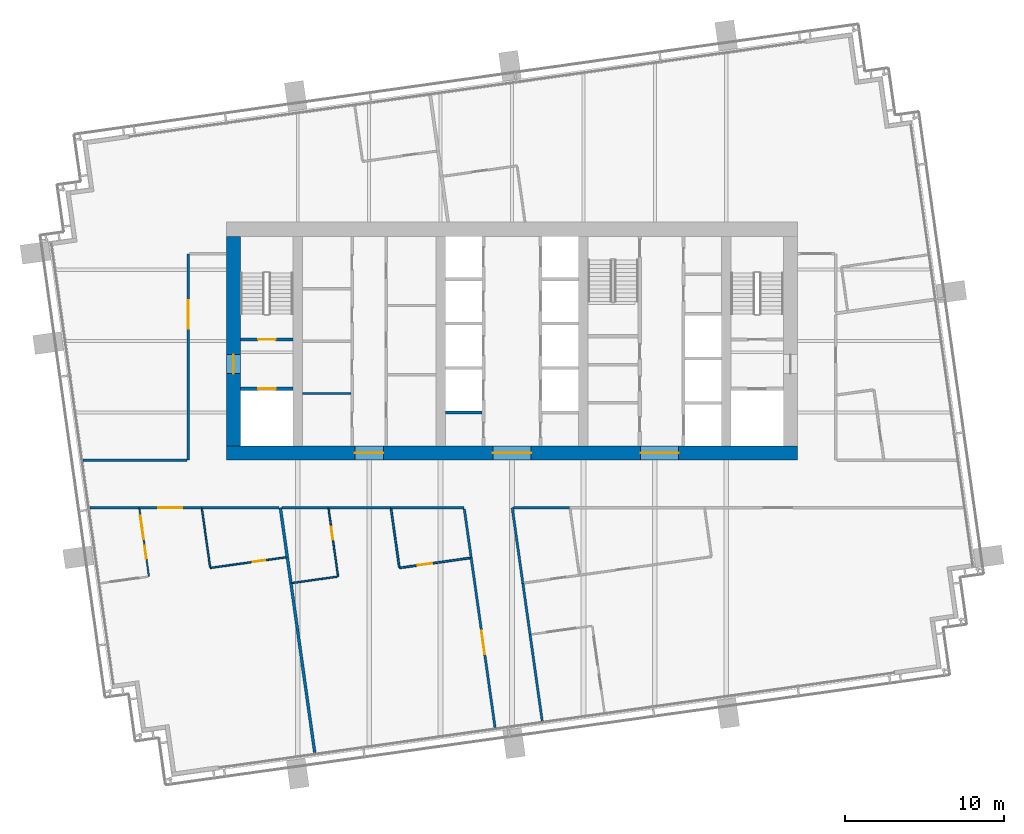
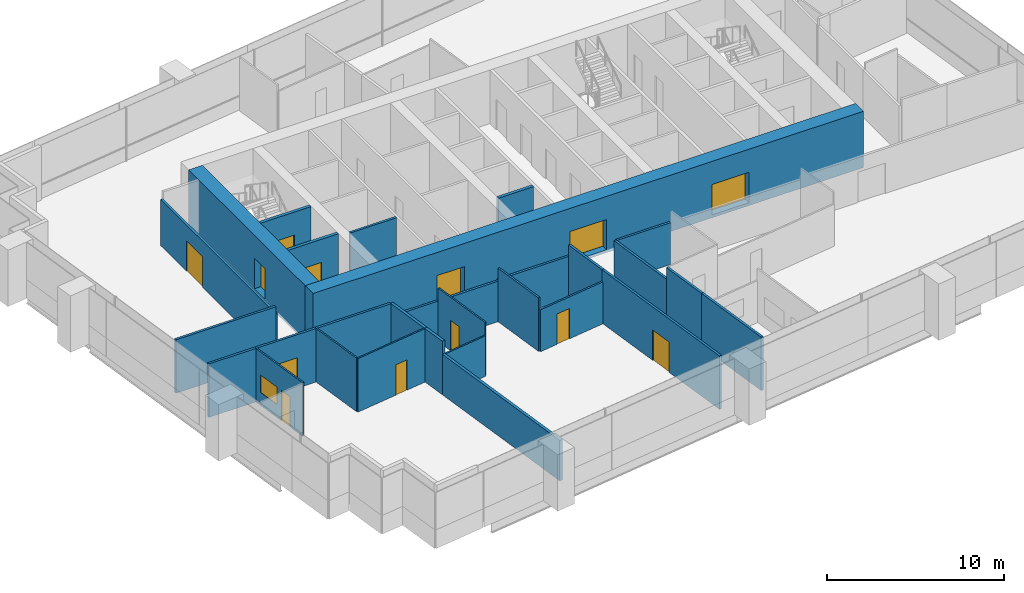
# One storey, part 9 of 18: 30 walls, 13 doors, 1 window, 14 openings.
"""IFC4 building model written with IfcOpenShell, lengths in metres."""

import ifcopenshell
import ifcopenshell.guid

model = None  # the IFC model being written
_history = None  # IfcOwnerHistory: only IFC2X3 demands one
_inside = {}  # id of a spatial element -> (the spatial element, [elements in it])
_under = {}  # id of a project, library or spatial element -> (it, [spatial elements below it])
_declared = {}  # id of a project -> (the project, [libraries it declares])
_typed = {}  # id of a type object -> (the type object, [elements of that type])
_made_of = {}  # id of a material, layer set ... -> (it, [elements and type objects made of it])


def new_model(schema):
    """Start an empty IFC model of exactly this schema.

    Asked for "IFC4X3", IfcOpenShell would pick the latest addendum, in which some entities
    have other attributes; the version numbers below select the first issue.
    IFC2X3 requires an IfcOwnerHistory on every rooted entity: one is made here for all.
    """
    global model, _history
    if schema == "IFC4X3":
        model = ifcopenshell.file(schema_version=(4, 3, 0, 0))
    else:
        model = ifcopenshell.file(schema=schema)
    _inside.clear()
    _under.clear()
    _declared.clear()
    _typed.clear()
    _made_of.clear()
    _history = None
    if model.schema == "IFC2X3":
        org = make("IfcOrganization", Name="unknown")
        user = make(
            "IfcPersonAndOrganization",
            ThePerson=make("IfcPerson", FamilyName="unknown"),
            TheOrganization=org,
        )
        app = make(
            "IfcApplication",
            ApplicationDeveloper=org,
            Version="unknown",
            ApplicationFullName="unknown",
            ApplicationIdentifier="unknown",
        )
        _history = make(
            "IfcOwnerHistory",
            OwningUser=user,
            OwningApplication=app,
            ChangeAction="ADDED",
            CreationDate=0,
        )
    return model


def make(cls, **values):
    """One entity of the class cls with the attributes given. An attribute that is None is left unset."""
    return model.create_entity(
        cls, **{name: value for name, value in values.items() if value is not None}
    )


def rooted(cls, **values):
    """An entity with a GlobalId (a new one), such as an element, a storey or a relation."""
    return make(cls, GlobalId=ifcopenshell.guid.new(), OwnerHistory=_history, **values)


def si_unit(unit_type, name, prefix=None):
    """IfcSIUnit, for example si_unit("LENGTHUNIT", "METRE", prefix="MILLI")."""
    return make("IfcSIUnit", UnitType=unit_type, Prefix=prefix, Name=name)


def assignment(units):
    """IfcUnitAssignment: the units of a project."""
    return None if units is None else make("IfcUnitAssignment", Units=units)


def point(xyz):
    """IfcCartesianPoint."""
    return None if xyz is None else make("IfcCartesianPoint", Coordinates=xyz)


def direction(xyz):
    """IfcDirection."""
    return None if xyz is None else make("IfcDirection", DirectionRatios=xyz)


def frame(location, z_axis=None, x_axis=None):
    """IfcAxis2Placement3D, a coordinate frame: its origin and axes. An axis left out is left unset."""
    return make(
        "IfcAxis2Placement3D",
        Location=point(location),
        Axis=direction(z_axis),
        RefDirection=direction(x_axis),
    )


def frame_2d(location, x_axis=None):
    """IfcAxis2Placement2D, a coordinate frame in the plane: its origin and x axis."""
    return make(
        "IfcAxis2Placement2D", Location=point(location), RefDirection=direction(x_axis)
    )


def origin():
    """The frame at (0, 0, 0) with its axes left unset."""
    return frame((0.0, 0.0, 0.0))


def place(relative_to, where):
    """IfcLocalPlacement: puts the frame where relative to a parent placement (None: the world)."""
    return make(
        "IfcLocalPlacement", PlacementRelTo=relative_to, RelativePlacement=where
    )


def context(
    kind, dimensions, precision=None, world=None, true_north=None, identifier=None
):
    """IfcGeometricRepresentationContext, for example the 3D "Model" context."""
    return make(
        "IfcGeometricRepresentationContext",
        ContextIdentifier=identifier,
        ContextType=kind,
        CoordinateSpaceDimension=dimensions,
        Precision=precision,
        WorldCoordinateSystem=world,
        TrueNorth=true_north,
    )


def subcontext(parent, identifier, kind, view, scale=None):
    """IfcGeometricRepresentationSubContext, for example "Body" below "Model"."""
    return make(
        "IfcGeometricRepresentationSubContext",
        ContextIdentifier=identifier,
        ContextType=kind,
        ParentContext=parent,
        TargetScale=scale,
        TargetView=view,
    )


def project(units=None, contexts=None):
    """IfcProject with its units and contexts."""
    return rooted(
        "IfcProject",
        Name="project",
        RepresentationContexts=contexts,
        UnitsInContext=assignment(units),
    )


def spatial(cls, under=None, at=None, **own):
    """A site, building, storey or space (cls), placed at a placement, below another one or the project."""
    s = rooted(cls, ObjectPlacement=at, **own)
    if under is not None:
        _under.setdefault(under.id(), (under, []))[1].append(s)
    return s


def profile(cls, at=None, kind="AREA", **sizes):
    """A parametric profile (cls). Its sizes go by their IFC names, for example OverallWidth=200.0."""
    return make(cls, ProfileType=kind, Position=at, **sizes)


def rectangle(**sizes):
    """IfcRectangleProfileDef."""
    return profile("IfcRectangleProfileDef", **sizes)


def extrude(swept, where, along, depth):
    """IfcExtrudedAreaSolid: the profile swept, set in the frame where, extruded along a direction by depth."""
    return make(
        "IfcExtrudedAreaSolid",
        SweptArea=swept,
        Position=where,
        ExtrudedDirection=direction(along),
        Depth=depth,
    )


def shape(context_of_items, identifier, shape_type, items):
    """IfcShapeRepresentation: the items that make up one representation, for example the "Body"."""
    return make(
        "IfcShapeRepresentation",
        ContextOfItems=context_of_items,
        RepresentationIdentifier=identifier,
        RepresentationType=shape_type,
        Items=items,
    )


def material(Name=None, Category=None):
    """IfcMaterial."""
    return make("IfcMaterial", Name=Name, Category=Category)


def layer(
    of_material, thickness, ventilated=None, Name=None, Category=None, Priority=None
):
    """IfcMaterialLayer: one layer of a wall or slab, of a material (None: an air gap)."""
    return make(
        "IfcMaterialLayer",
        Material=of_material,
        LayerThickness=thickness,
        IsVentilated=ventilated,
        Name=Name,
        Category=Category,
        Priority=Priority,
    )


def layer_set(layers, Name=None):
    """IfcMaterialLayerSet."""
    return make("IfcMaterialLayerSet", MaterialLayers=layers, LayerSetName=Name)


def made_of(thing, what):
    """Note that an element or type object is made of a material, layer set ...; save() writes the relation."""
    if what is not None:
        _made_of.setdefault(what.id(), (what, []))[1].append(thing)
    return thing


def type_object(cls, material=None, **own):
    """A type object (cls), such as IfcWallType, which elements share."""
    return made_of(rooted(cls, **own), material)


def element(
    cls,
    number,
    at=None,
    inside=None,
    cuts=None,
    type_object=None,
    material=None,
    context=None,
    identifier="Body",
    shape_type=None,
    held_by="IfcProductDefinitionShape",
    body=None,
    shapes=None,
    **own,
):
    """One element of the class cls, such as IfcWall. Its Tag is "e" and its number.

    at: its placement. inside: the storey or other place that contains it. cuts: it is an
    opening in that element (IfcRelVoidsElement). A single representation is given by context,
    identifier, shape_type and body (its items); several are given by shapes. held_by: the class
    of the entity that holds the representations. save() writes the other relations.
    """
    e = rooted(cls, Tag="e%d" % number, ObjectPlacement=at, **own)
    if body is not None:
        shapes = [shape(context, identifier, shape_type, body)]
    if shapes is not None:
        e.Representation = make(held_by, Representations=shapes)
    if inside is not None:
        _inside.setdefault(inside.id(), (inside, []))[1].append(e)
    if cuts is not None:
        rooted(
            "IfcRelVoidsElement", RelatingBuildingElement=cuts, RelatedOpeningElement=e
        )
    if type_object is not None:
        _typed.setdefault(type_object.id(), (type_object, []))[1].append(e)
    return made_of(e, material)


def fill(opening, filler):
    """IfcRelFillsElement: the door or window that sits in an opening."""
    return rooted(
        "IfcRelFillsElement",
        RelatingOpeningElement=opening,
        RelatedBuildingElement=filler,
    )


def aggregate(whole, parts):
    """IfcRelAggregates: a whole, such as a stair, and the parts it consists of."""
    return rooted("IfcRelAggregates", RelatingObject=whole, RelatedObjects=parts)


def save(model, path):
    """Write the relations noted so far, then the file.

    IfcRelAggregates (storeys below a building ...), IfcRelContainedInSpatialStructure (elements
    in a storey), IfcRelDefinesByType, IfcRelAssociatesMaterial and IfcRelDeclares: one each for
    every whole, place, type object, material and project.
    """
    for whole, parts in _under.values():
        aggregate(whole, parts)
    for where, things in _inside.values():
        rooted(
            "IfcRelContainedInSpatialStructure",
            RelatedElements=things,
            RelatingStructure=where,
        )
    for kind, things in _typed.values():
        rooted("IfcRelDefinesByType", RelatedObjects=things, RelatingType=kind)
    for what, things in _made_of.values():
        rooted("IfcRelAssociatesMaterial", RelatedObjects=things, RelatingMaterial=what)
    for by, libraries in _declared.values():
        rooted("IfcRelDeclares", RelatingContext=by, RelatedDefinitions=libraries)
    model.write(path)


model = new_model("IFC4")

# Units and contexts
model_context = context("Model", 3, precision=1e-05, world=origin(), true_north=direction((0.0, 1.0)))
body_context = subcontext(model_context, "Body", "Model", "MODEL_VIEW")
ifc_project = project(units=[si_unit("LENGTHUNIT", "METRE"), si_unit("AREAUNIT", "SQUARE_METRE"), si_unit("VOLUMEUNIT", "CUBIC_METRE"), si_unit("PLANEANGLEUNIT", "RADIAN"), si_unit("MASSUNIT", "GRAM", prefix="KILO")], contexts=[model_context])

# Site, building, storey
site_placement = place(None, origin())
site = spatial("IfcSite", under=ifc_project, at=site_placement, CompositionType="ELEMENT")
building_placement = place(site_placement, origin())
building = spatial("IfcBuilding", under=site, at=building_placement, Name="Rattan Terrace Tower", CompositionType="ELEMENT")
storey_placement = place(building_placement, frame((0.0, 0.0, 176.300048828125)))
storey = spatial("IfcBuildingStorey", under=building, at=storey_placement, Name="L40", CompositionType="ELEMENT", Elevation=176.300048828125)

# Wall
ifc_material_1 = material(Name="Gypsum board partition")
ifc_layer_1 = layer(ifc_material_1, 0.14990234375)
ifc_layer_set_1 = layer_set([ifc_layer_1], Name="Core partition 150")
wall_type_1 = type_object("IfcWallType", Name="Core partition 150", PredefinedType="PARTITIONING", material=ifc_layer_set_1)
wall_1_placement = place(storey_placement, frame((-13.199951171875, -3.300048828125, 0.0), z_axis=(0.0, 0.0, 1.0), x_axis=(1.0, 0.0, 0.0)))
element("IfcWall", 1, at=wall_1_placement, inside=storey, type_object=wall_type_1, Name="Core room wall", PredefinedType="PARTITIONING", context=body_context, shape_type="SweptSolid", body=[
    extrude(rectangle(XDim=3.050048828125, YDim=0.14990234375, at=frame_2d((1.52490234375, 0.0))), origin(), (0.0, 0.0, 1.0), 3.699951171875),
])

# Wall, opening, door
ifc_material_2 = material(Name="Gypsum board partition")
ifc_layer_2 = layer(ifc_material_2, 0.199951171875)
ifc_layer_set_2 = layer_set([ifc_layer_2], Name="Core partition 200")
wall_type_2 = type_object("IfcWallType", Name="Core partition 200", PredefinedType="PARTITIONING", material=ifc_layer_set_2)
wall_2_placement = place(storey_placement, frame((-17.10009765625, -3.0, 0.0), z_axis=(0.0, 0.0, 1.0), x_axis=(1.0, 0.0, 0.0)))
wall_2 = element("IfcWall", 2, at=wall_2_placement, inside=storey, type_object=wall_type_2, Name="Fire-fighting lobby wall", PredefinedType="PARTITIONING", context=body_context, shape_type="SweptSolid", body=[
    extrude(rectangle(XDim=3.300048828125, YDim=0.199951171875, at=frame_2d((1.64990234375, 0.0))), origin(), (0.0, 0.0, 1.0), 3.699951171875),
])
opening_1_placement = place(wall_2_placement, frame((1.10009765625, 0.0, 0.0)))
opening_1 = element("IfcOpeningElement", 3, at=opening_1_placement, cuts=wall_2, Name="Opening L40-LD-FF1", PredefinedType="OPENING", context=body_context, shape_type="SweptSolid", body=[
    extrude(rectangle(XDim=1.10009765625, YDim=2.10009765625, at=frame_2d((0.550048828125, 1.050048828125))), frame((0.0, 0.110595703125, 0.0), z_axis=(0.0, -1.0, 0.0), x_axis=(1.0, 0.0, 0.0)), (0.0, 0.0, 1.0), 0.220947265625),
])
ifc_material_3 = material(Name="Brushed stainless landing door panel")
door_type_1 = type_object("IfcDoorType", Name="Core lift landing door 1100", OperationType="DOUBLE_DOOR_SLIDING", PredefinedType="DOOR", material=ifc_material_3)
door_1_placement = place(opening_1_placement, origin())
door_1 = element("IfcDoor", 4, at=door_1_placement, inside=storey, type_object=door_type_1, Name="Door L40-LD-FF1", OperationType="DOUBLE_DOOR_SLIDING", OverallHeight=2.10009765625, OverallWidth=1.10009765625, PredefinedType="DOOR", context=body_context, shape_type="SweptSolid", body=[
    extrude(rectangle(XDim=1.10009765625, YDim=2.10009765625, at=frame_2d((0.550048828125, 1.050048828125))), frame((0.0, 0.02490234375, 0.0), z_axis=(0.0, -1.0, 0.0), x_axis=(1.0, 0.0, 0.0)), (0.0, 0.0, 1.0), 0.050048828125),
])
fill(opening_1, door_1)

wall_3_placement = place(storey_placement, frame((-17.10009765625, 0.10009765625, 0.0), z_axis=(0.0, 0.0, 1.0), x_axis=(1.0, 0.0, 0.0)))
wall_3 = element("IfcWall", 5, at=wall_3_placement, inside=storey, type_object=wall_type_2, Name="Stair enclosure wall", PredefinedType="PARTITIONING", context=body_context, shape_type="SweptSolid", body=[
    extrude(rectangle(XDim=3.300048828125, YDim=0.199951171875, at=frame_2d((1.64990234375, 0.0))), origin(), (0.0, 0.0, 1.0), 3.699951171875),
])
opening_2_placement = place(wall_3_placement, frame((1.10009765625, 0.0, 0.0)))
opening_2 = element("IfcOpeningElement", 6, at=opening_2_placement, cuts=wall_3, Name="Opening L40-D002", PredefinedType="OPENING", context=body_context, shape_type="SweptSolid", body=[
    extrude(rectangle(XDim=1.10009765625, YDim=2.10009765625, at=frame_2d((0.550048828125, 1.050048828125))), frame((0.0, 0.110595703125, 0.0), z_axis=(0.0, -1.0, 0.0), x_axis=(1.0, 0.0, 0.0)), (0.0, 0.0, 1.0), 0.220947265625),
])
ifc_material_4 = material(Name="Hollow-metal fire door leaf")
door_type_2 = type_object("IfcDoorType", Name="Core stair door 1100", OperationType="NOTDEFINED", PredefinedType="DOOR", material=ifc_material_4)
door_2_placement = place(opening_2_placement, origin())
door_2 = element("IfcDoor", 7, at=door_2_placement, inside=storey, type_object=door_type_2, Name="Door L40-D002", OperationType="SINGLE_SWING_RIGHT", OverallHeight=2.10009765625, OverallWidth=1.10009765625, PredefinedType="DOOR", context=body_context, shape_type="SweptSolid", body=[
    extrude(rectangle(XDim=1.10009765625, YDim=2.10009765625, at=frame_2d((0.550048828125, 1.050048828125))), frame((0.0, 0.02490234375, 0.0), z_axis=(0.0, -1.0, 0.0), x_axis=(1.0, 0.0, 0.0)), (0.0, 0.0, 1.0), 0.050048828125),
])
fill(opening_2, door_2)

# Wall, openings, doors
ifc_material_5 = material(Name="Concrete C60/75", Category="concrete")
ifc_layer_3 = layer(ifc_material_5, 0.89990234375)
ifc_layer_set_3 = layer_set([ifc_layer_3], Name="Core ring wall 900 C60/75")
wall_type_3 = type_object("IfcWallType", Name="Core ring wall 900 C60/75", PredefinedType="SHEAR", material=ifc_layer_set_3)
wall_4_placement = place(storey_placement, frame((-18.0, -7.050048828125, -0.199951171875), z_axis=(0.0, 0.0, 1.0), x_axis=(1.0, 0.0, 0.0)))
wall_4 = element("IfcWall", 8, at=wall_4_placement, inside=storey, type_object=wall_type_3, Name="Rear core wall south", PredefinedType="SHEAR", context=body_context, shape_type="SweptSolid", body=[
    extrude(rectangle(XDim=36.0, YDim=0.89990234375, at=frame_2d((18.0, 0.0))), origin(), (0.0, 0.0, 1.0), 3.89990234375),
])
opening_3_placement = place(wall_4_placement, frame((8.10009765625, 0.0, 0.199951171875)))
opening_3 = element("IfcOpeningElement", 9, at=opening_3_placement, cuts=wall_4, Name="Opening L40-D012", PredefinedType="OPENING", context=body_context, shape_type="SweptSolid", body=[
    extrude(rectangle(XDim=1.800048828125, YDim=2.10009765625, at=frame_2d((0.89990234375, 1.050048828125))), frame((0.0, 0.46044921875, 0.0), z_axis=(0.0, -1.0, 0.0), x_axis=(1.0, 0.0, 0.0)), (0.0, 0.0, 1.0), 0.9208984375),
])
opening_4_placement = place(wall_4_placement, frame((16.800048828125, 0.0, 0.199951171875)))
opening_4 = element("IfcOpeningElement", 10, at=opening_4_placement, cuts=wall_4, Name="Opening L40-D015", PredefinedType="OPENING", context=body_context, shape_type="SweptSolid", body=[
    extrude(rectangle(XDim=2.39990234375, YDim=2.10009765625, at=frame_2d((1.199951171875, 1.050048828125))), frame((0.0, 0.46044921875, 0.0), z_axis=(0.0, -1.0, 0.0), x_axis=(1.0, 0.0, 0.0)), (0.0, 0.0, 1.0), 0.9208984375),
])
opening_5_placement = place(wall_4_placement, frame((26.10009765625, 0.0, 0.199951171875)))
opening_5 = element("IfcOpeningElement", 11, at=opening_5_placement, cuts=wall_4, Name="Opening L40-D020", PredefinedType="OPENING", context=body_context, shape_type="SweptSolid", body=[
    extrude(rectangle(XDim=2.39990234375, YDim=2.10009765625, at=frame_2d((1.199951171875, 1.050048828125))), frame((0.0, 0.46044921875, 0.0), z_axis=(0.0, -1.0, 0.0), x_axis=(1.0, 0.0, 0.0)), (0.0, 0.0, 1.0), 0.9208984375),
])
ifc_material_6 = material(Name="Hollow-metal fire door leaf")
door_type_3 = type_object("IfcDoorType", Name="Core lift lobby door 2400", OperationType="NOTDEFINED", PredefinedType="DOOR", material=ifc_material_6)
door_3_placement = place(opening_4_placement, origin())
door_3 = element("IfcDoor", 12, at=door_3_placement, inside=storey, type_object=door_type_3, Name="Door L40-D015", OperationType="DOUBLE_DOOR_DOUBLE_SWING", OverallHeight=2.10009765625, OverallWidth=2.39990234375, PredefinedType="DOOR", context=body_context, shape_type="SweptSolid", body=[
    extrude(rectangle(XDim=2.39990234375, YDim=2.10009765625, at=frame_2d((1.199951171875, 1.050048828125))), frame((0.0, 0.02490234375, 0.0), z_axis=(0.0, -1.0, 0.0), x_axis=(1.0, 0.0, 0.0)), (0.0, 0.0, 1.0), 0.050048828125),
])
fill(opening_4, door_3)
door_4_placement = place(opening_5_placement, origin())
door_4 = element("IfcDoor", 13, at=door_4_placement, inside=storey, type_object=door_type_3, Name="Door L40-D020", OperationType="DOUBLE_DOOR_DOUBLE_SWING", OverallHeight=2.10009765625, OverallWidth=2.39990234375, PredefinedType="DOOR", context=body_context, shape_type="SweptSolid", body=[
    extrude(rectangle(XDim=2.39990234375, YDim=2.10009765625, at=frame_2d((1.199951171875, 1.050048828125))), frame((0.0, 0.02490234375, 0.0), z_axis=(0.0, -1.0, 0.0), x_axis=(1.0, 0.0, 0.0)), (0.0, 0.0, 1.0), 0.050048828125),
])
fill(opening_5, door_4)
ifc_material_7 = material(Name="Hollow-metal fire door leaf")
door_type_4 = type_object("IfcDoorType", Name="Core service room door 1800", OperationType="NOTDEFINED", PredefinedType="DOOR", material=ifc_material_7)
door_5_placement = place(opening_3_placement, origin())
door_5 = element("IfcDoor", 14, at=door_5_placement, inside=storey, type_object=door_type_4, Name="Door L40-D012", OperationType="SINGLE_SWING_RIGHT", OverallHeight=2.10009765625, OverallWidth=1.800048828125, PredefinedType="DOOR", context=body_context, shape_type="SweptSolid", body=[
    extrude(rectangle(XDim=1.800048828125, YDim=2.10009765625, at=frame_2d((0.89990234375, 1.050048828125))), frame((0.0, 0.02490234375, 0.0), z_axis=(0.0, -1.0, 0.0), x_axis=(1.0, 0.0, 0.0)), (0.0, 0.0, 1.0), 0.050048828125),
])
fill(opening_3, door_5)

# Wall, opening, door
wall_5_placement = place(storey_placement, frame((-17.550048828125, -6.60009765625, -0.199951171875), z_axis=(0.0, 0.0, 1.0), x_axis=(0.0, 1.0, 0.0)))
wall_5 = element("IfcWall", 15, at=wall_5_placement, inside=storey, type_object=wall_type_3, Name="Rear core wall west", PredefinedType="SHEAR", context=body_context, shape_type="SweptSolid", body=[
    extrude(rectangle(XDim=13.2001953125, YDim=0.89990234375, at=frame_2d((6.60009765625, 0.0))), origin(), (0.0, 0.0, 1.0), 3.89990234375),
])
opening_6_placement = place(wall_5_placement, frame((4.550048828125, 0.0, 0.199951171875)))
opening_6 = element("IfcOpeningElement", 16, at=opening_6_placement, cuts=wall_5, Name="Opening L40-D001", PredefinedType="OPENING", context=body_context, shape_type="SweptSolid", body=[
    extrude(rectangle(XDim=1.199951171875, YDim=2.10009765625, at=frame_2d((0.60009765625, 1.050048828125))), frame((0.0, 0.46044921875, 0.0), z_axis=(0.0, -1.0, 0.0), x_axis=(1.0, 0.0, 0.0)), (0.0, 0.0, 1.0), 0.9208984375),
])
ifc_material_8 = material(Name="Hollow-metal fire door leaf")
door_type_5 = type_object("IfcDoorType", Name="Core fire-fighting lobby door 1200", OperationType="NOTDEFINED", PredefinedType="DOOR", material=ifc_material_8)
door_6_placement = place(opening_6_placement, origin())
door_6 = element("IfcDoor", 17, at=door_6_placement, inside=storey, type_object=door_type_5, Name="Door L40-D001", OperationType="SINGLE_SWING_LEFT", OverallHeight=2.10009765625, OverallWidth=1.199951171875, PredefinedType="DOOR", context=body_context, shape_type="SweptSolid", body=[
    extrude(rectangle(XDim=1.199951171875, YDim=2.10009765625, at=frame_2d((0.60009765625, 1.050048828125))), frame((0.0, 0.02490234375, 0.0), z_axis=(0.0, -1.0, 0.0), x_axis=(1.0, 0.0, 0.0)), (0.0, 0.0, 1.0), 0.050048828125),
])
fill(opening_6, door_6)

# Walls
ifc_material_9 = material(Name="Double steel stud acoustic partition, gypsum board, mineral wool, fire rated", Category="steel")
ifc_layer_4 = layer(ifc_material_9, 0.179931640625)
ifc_layer_set_4 = layer_set([ifc_layer_4], Name="Floors Acoustic Party Wall 180")
wall_type_4 = type_object("IfcWallType", Name="Floors Acoustic Party Wall 180", PredefinedType="PARTITIONING", material=ifc_layer_set_4)
wall_6_placement = place(storey_placement, frame((-13.929931640625, -15.23291015625, 0.0), z_axis=(0.0, 0.0, 1.0), x_axis=(0.139092809985, -0.990279349583, 0.0)))
element("IfcWall", 18, at=wall_6_placement, inside=storey, type_object=wall_type_4, Name="pt-L40-028", PredefinedType="PARTITIONING", context=body_context, shape_type="SweptSolid", body=[
    extrude(rectangle(XDim=10.80517578125, YDim=0.179931640625, at=frame_2d((5.402587890625, 0.0))), origin(), (0.0, 0.0, 1.0), 2.800048828125),
])
wall_7_placement = place(storey_placement, frame((-14.157958984375, -13.611083984375, 0.0), z_axis=(0.0, 0.0, 1.0), x_axis=(0.139229707098, -0.990260111618, 0.0)))
element("IfcWall", 19, at=wall_7_placement, inside=storey, type_object=wall_type_4, Name="pt-L40-029", PredefinedType="PARTITIONING", context=body_context, shape_type="SweptSolid", body=[
    extrude(rectangle(XDim=1.6376953125, YDim=0.179931640625, at=frame_2d((0.81884765625, 0.0))), origin(), (0.0, 0.0, 1.0), 3.699951171875),
])
wall_8_placement = place(storey_placement, frame((-14.594970703125, -10.5, 0.0), z_axis=(0.0, 0.0, 1.0), x_axis=(0.139103611391, -0.990277832377, 0.0)))
element("IfcWall", 20, at=wall_8_placement, inside=storey, type_object=wall_type_4, Name="pt-L40-030", PredefinedType="PARTITIONING", context=body_context, shape_type="SweptSolid", body=[
    extrude(rectangle(XDim=3.1416015625, YDim=0.179931640625, at=frame_2d((1.57080078125, 0.0))), origin(), (0.0, 0.0, 1.0), 3.699951171875),
])

# Wall, openings, door, window
ifc_material_10 = material(Name="Gypsum board partition on steel studs", Category="steel")
ifc_layer_5 = layer(ifc_material_10, 0.10009765625)
ifc_layer_set_5 = layer_set([ifc_layer_5], Name="Floors Partition 100")
wall_type_5 = type_object("IfcWallType", Name="Floors Partition 100", PredefinedType="PARTITIONING", material=ifc_layer_set_5)
wall_9_placement = place(storey_placement, frame((-22.875, -14.8359375, 0.0), z_axis=(0.0, 0.0, 1.0), x_axis=(-0.139240076126, 0.990258653686, 0.0)))
wall_9 = element("IfcWall", 21, at=wall_9_placement, inside=storey, type_object=wall_type_5, Name="pt-L40-025", PredefinedType="PARTITIONING", context=body_context, shape_type="SweptSolid", body=[
    extrude(rectangle(XDim=4.309814453125, YDim=0.10009765625, at=frame_2d((2.15478515625, 0.0))), origin(), (0.0, 0.0, 1.0), 3.699951171875),
])
opening_7_placement = place(wall_9_placement, frame((1.153076171875, 0.0, 0.0)))
opening_7 = element("IfcOpeningElement", 22, at=opening_7_placement, cuts=wall_9, Name="Opening L40-D101", PredefinedType="OPENING", context=body_context, shape_type="SweptSolid", body=[
    extrude(rectangle(XDim=0.800048828125, YDim=2.10009765625, at=frame_2d((0.39990234375, 1.050048828125))), frame((0.0, 0.060546875, 0.0), z_axis=(0.0, -1.0, 0.0), x_axis=(1.0, 0.0, 0.0)), (0.0, 0.0, 1.0), 0.12109375),
])
opening_8_placement = place(wall_9_placement, frame((2.373046875, 0.0, 0.89990234375)))
opening_8 = element("IfcOpeningElement", 23, at=opening_8_placement, cuts=wall_9, Name="Opening L40-W101", PredefinedType="OPENING", context=body_context, shape_type="SweptSolid", body=[
    extrude(rectangle(XDim=1.5, YDim=1.199951171875, at=frame_2d((0.75, 0.60009765625))), frame((0.0, 0.060546875, 0.0), z_axis=(0.0, -1.0, 0.0), x_axis=(1.0, 0.0, 0.0)), (0.0, 0.0, 1.0), 0.12109375),
])
ifc_material_11 = material(Name="Solid core timber door, painted", Category="wood")
door_type_6 = type_object("IfcDoorType", Name="Floors Store Door 800x2100", OperationType="NOTDEFINED", PredefinedType="DOOR", material=ifc_material_11)
door_7_placement = place(opening_7_placement, origin())
door_7 = element("IfcDoor", 24, at=door_7_placement, inside=storey, type_object=door_type_6, Name="d-L40-101", OperationType="SINGLE_SWING_LEFT", OverallHeight=2.10009765625, OverallWidth=0.800048828125, PredefinedType="DOOR", context=body_context, shape_type="SweptSolid", body=[
    extrude(rectangle(XDim=0.800048828125, YDim=2.10009765625, at=frame_2d((0.39990234375, 1.050048828125))), frame((0.0, 0.02490234375, 0.0), z_axis=(0.0, -1.0, 0.0), x_axis=(1.0, 0.0, 0.0)), (0.0, 0.0, 1.0), 0.050048828125),
])
fill(opening_7, door_7)
ifc_material_12 = material(Name="Glass, clear, fixed in aluminium frame", Category="aluminium")
window_type = type_object("IfcWindowType", Name="Interior Vision Window 1500x1200", PartitioningType="SINGLE_PANEL", PredefinedType="WINDOW", material=ifc_material_12)
window_placement = place(opening_8_placement, origin())
window = element("IfcWindow", 25, at=window_placement, inside=storey, type_object=window_type, Name="w-L40-101", OverallHeight=1.199951171875, OverallWidth=1.5, PartitioningType="SINGLE_PANEL", PredefinedType="WINDOW", context=body_context, shape_type="SweptSolid", body=[
    extrude(rectangle(XDim=1.5, YDim=1.199951171875, at=frame_2d((0.75, 0.60009765625))), frame((0.0, 0.030029296875, 0.0), z_axis=(0.0, -1.0, 0.0), x_axis=(1.0, 0.0, 0.0)), (0.0, 0.0, 1.0), 0.06005859375),
])
fill(opening_8, window)

# Wall
wall_10_placement = place(storey_placement, frame((-19.537109375, -10.568115234375, 0.0), z_axis=(0.0, 0.0, 1.0), x_axis=(0.139303202992, -0.990249775378, 0.0)))
element("IfcWall", 26, at=wall_10_placement, inside=storey, type_object=wall_type_5, Name="pt-L40-026", PredefinedType="PARTITIONING", context=body_context, shape_type="SweptSolid", body=[
    extrude(rectangle(XDim=3.7119140625, YDim=0.10009765625, at=frame_2d((1.85595703125, 0.0))), origin(), (0.0, 0.0, 1.0), 3.699951171875),
])

# Wall, opening, door
wall_11_placement = place(storey_placement, frame((-19.012939453125, -14.29296875, 0.0), z_axis=(0.0, 0.0, 1.0), x_axis=(0.990264556242, 0.139198091406, 0.0)))
wall_11 = element("IfcWall", 27, at=wall_11_placement, inside=storey, type_object=wall_type_5, Name="pt-L40-027", PredefinedType="PARTITIONING", context=body_context, shape_type="SweptSolid", body=[
    extrude(rectangle(XDim=4.812744140625, YDim=0.10009765625, at=frame_2d((2.40625, 0.0))), origin(), (0.0, 0.0, 1.0), 3.699951171875),
])
opening_9_placement = place(wall_11_placement, frame((2.708984375, 0.0, 0.0)))
opening_9 = element("IfcOpeningElement", 28, at=opening_9_placement, cuts=wall_11, Name="Opening L40-D102", PredefinedType="OPENING", context=body_context, shape_type="SweptSolid", body=[
    extrude(rectangle(XDim=0.800048828125, YDim=2.10009765625, at=frame_2d((0.39990234375, 1.050048828125))), frame((0.0, 0.060546875, 0.0), z_axis=(0.0, -1.0, 0.0), x_axis=(1.0, 0.0, 0.0)), (0.0, 0.0, 1.0), 0.12109375),
])
door_8_placement = place(opening_9_placement, origin())
door_8 = element("IfcDoor", 29, at=door_8_placement, inside=storey, type_object=door_type_6, Name="d-L40-102", OperationType="SINGLE_SWING_RIGHT", OverallHeight=2.10009765625, OverallWidth=0.800048828125, PredefinedType="DOOR", context=body_context, shape_type="SweptSolid", body=[
    extrude(rectangle(XDim=0.800048828125, YDim=2.10009765625, at=frame_2d((0.39990234375, 1.050048828125))), frame((0.0, 0.02490234375, 0.0), z_axis=(0.0, -1.0, 0.0), x_axis=(1.0, 0.0, 0.0)), (0.0, 0.0, 1.0), 0.050048828125),
])
fill(opening_9, door_8)

# Wall
wall_12_placement = place(storey_placement, frame((-13.837890625, -15.240966796875, 0.0), z_axis=(0.0, 0.0, 1.0), x_axis=(0.990263018372, 0.139209031475, 0.0)))
element("IfcWall", 30, at=wall_12_placement, inside=storey, type_object=wall_type_5, Name="pt-L40-031", PredefinedType="PARTITIONING", context=body_context, shape_type="SweptSolid", body=[
    extrude(rectangle(XDim=2.858642578125, YDim=0.10009765625, at=frame_2d((1.42919921875, 0.0))), origin(), (0.0, 0.0, 1.0), 2.800048828125),
])

# Wall, opening, door
wall_13_placement = place(storey_placement, frame((-10.95703125, -14.8359375, 0.0), z_axis=(0.0, 0.0, 1.0), x_axis=(-0.138962312518, 0.990297670249, 0.0)))
wall_13 = element("IfcWall", 31, at=wall_13_placement, inside=storey, type_object=wall_type_5, Name="pt-L40-032", PredefinedType="PARTITIONING", context=body_context, shape_type="SweptSolid", body=[
    extrude(rectangle(XDim=4.3095703125, YDim=0.10009765625, at=frame_2d((2.15478515625, 0.0))), origin(), (0.0, 0.0, 1.0), 3.699951171875),
])
opening_10_placement = place(wall_13_placement, frame((2.35693359375, 0.0, 0.0)))
opening_10 = element("IfcOpeningElement", 32, at=opening_10_placement, cuts=wall_13, Name="Opening L40-D104", PredefinedType="OPENING", context=body_context, shape_type="SweptSolid", body=[
    extrude(rectangle(XDim=0.800048828125, YDim=2.10009765625, at=frame_2d((0.39990234375, 1.050048828125))), frame((0.0, 0.060546875, 0.0), z_axis=(0.0, -1.0, 0.0), x_axis=(1.0, 0.0, 0.0)), (0.0, 0.0, 1.0), 0.12109375),
])
door_9_placement = place(opening_10_placement, origin())
door_9 = element("IfcDoor", 33, at=door_9_placement, inside=storey, type_object=door_type_6, Name="d-L40-104", OperationType="SINGLE_SWING_RIGHT", OverallHeight=2.10009765625, OverallWidth=0.800048828125, PredefinedType="DOOR", context=body_context, shape_type="SweptSolid", body=[
    extrude(rectangle(XDim=0.800048828125, YDim=2.10009765625, at=frame_2d((0.39990234375, 1.050048828125))), frame((0.0, 0.02490234375, 0.0), z_axis=(0.0, -1.0, 0.0), x_axis=(1.0, 0.0, 0.0)), (0.0, 0.0, 1.0), 0.050048828125),
])
fill(opening_10, door_9)

ifc_material_13 = material(Name="Gypsum board partition on steel studs, fire rated", Category="steel")
ifc_layer_6 = layer(ifc_material_13, 0.14990234375)
ifc_layer_set_6 = layer_set([ifc_layer_6], Name="Floors Tenancy Wall 150")
wall_type_6 = type_object("IfcWallType", Name="Floors Tenancy Wall 150", PredefinedType="PARTITIONING", material=ifc_layer_set_6)
wall_14_placement = place(storey_placement, frame((-19.56591796875, -10.5, 0.0), z_axis=(0.0, 0.0, 1.0), x_axis=(-1.0, 0.0, 0.0)))
wall_14 = element("IfcWall", 34, at=wall_14_placement, inside=storey, type_object=wall_type_6, Name="pt-L40-001", PredefinedType="PARTITIONING", context=body_context, shape_type="SweptSolid", body=[
    extrude(rectangle(XDim=3.93896484375, YDim=0.14990234375, at=frame_2d((1.969482421875, 0.0))), origin(), (0.0, 0.0, 1.0), 3.699951171875),
])
opening_11_placement = place(wall_14_placement, frame((1.219970703125, 0.0, 0.0)))
opening_11 = element("IfcOpeningElement", 35, at=opening_11_placement, cuts=wall_14, Name="Opening L40-D100", PredefinedType="OPENING", context=body_context, shape_type="SweptSolid", body=[
    extrude(rectangle(XDim=1.5, YDim=2.10009765625, at=frame_2d((0.75, 1.050048828125))), frame((0.0, 0.08544921875, 0.0), z_axis=(0.0, -1.0, 0.0), x_axis=(1.0, 0.0, 0.0)), (0.0, 0.0, 1.0), 0.1708984375),
])
ifc_material_14 = material(Name="Steel fire door set", Category="steel")
door_type_7 = type_object("IfcDoorType", Name="Floors Unit Door Pair FD30S 1500x2100", OperationType="NOTDEFINED", PredefinedType="DOOR", material=ifc_material_14)
door_10_placement = place(opening_11_placement, origin())
door_10 = element("IfcDoor", 36, at=door_10_placement, inside=storey, type_object=door_type_7, Name="d-L40-100", OperationType="DOUBLE_DOOR_SINGLE_SWING", OverallHeight=2.10009765625, OverallWidth=1.5, PredefinedType="DOOR", context=body_context, shape_type="SweptSolid", body=[
    extrude(rectangle(XDim=1.5, YDim=2.10009765625, at=frame_2d((0.75, 1.050048828125))), frame((0.0, 0.02490234375, 0.0), z_axis=(0.0, -1.0, 0.0), x_axis=(1.0, 0.0, 0.0)), (0.0, 0.0, 1.0), 0.050048828125),
])
fill(opening_11, door_10)

# Walls
wall_15_placement = place(storey_placement, frame((-23.5048828125, -10.5, 0.0), z_axis=(0.0, 0.0, 1.0), x_axis=(-1.0, 0.0, 0.0)))
element("IfcWall", 37, at=wall_15_placement, inside=storey, type_object=wall_type_6, Name="pt-L40-002", PredefinedType="PARTITIONING", context=body_context, shape_type="SweptSolid", body=[
    extrude(rectangle(XDim=3.089111328125, YDim=0.14990234375, at=frame_2d((1.54443359375, 0.0))), origin(), (0.0, 0.0, 1.0), 3.699951171875),
])
wall_16_placement = place(storey_placement, frame((-14.68408203125, -10.5, 0.0), z_axis=(0.0, 0.0, 1.0), x_axis=(-1.0, 0.0, 0.0)))
element("IfcWall", 38, at=wall_16_placement, inside=storey, type_object=wall_type_6, Name="pt-L40-003", PredefinedType="PARTITIONING", context=body_context, shape_type="SweptSolid", body=[
    extrude(rectangle(XDim=4.8818359375, YDim=0.14990234375, at=frame_2d((2.44091796875, 0.0))), origin(), (0.0, 0.0, 1.0), 3.699951171875),
])
wall_17_placement = place(storey_placement, frame((-7.64794921875, -10.5, 0.0), z_axis=(0.0, 0.0, 1.0), x_axis=(-1.0, 0.0, 0.0)))
element("IfcWall", 39, at=wall_17_placement, inside=storey, type_object=wall_type_6, Name="pt-L40-004", PredefinedType="PARTITIONING", context=body_context, shape_type="SweptSolid", body=[
    extrude(rectangle(XDim=3.93798828125, YDim=0.14990234375, at=frame_2d((1.968994140625, 0.0))), origin(), (0.0, 0.0, 1.0), 2.800048828125),
])

# Wall, opening, door
wall_18_placement = place(storey_placement, frame((-1.070068359375, -24.3369140625, 0.0), z_axis=(0.0, 0.0, 1.0), x_axis=(-0.139184552649, 0.990266459244, 0.0)))
wall_18 = element("IfcWall", 40, at=wall_18_placement, inside=storey, type_object=wall_type_6, Name="pt-L40-005", PredefinedType="PARTITIONING", context=body_context, shape_type="SweptSolid", body=[
    extrude(rectangle(XDim=10.80517578125, YDim=0.14990234375, at=frame_2d((5.402587890625, 0.0))), origin(), (0.0, 0.0, 1.0), 3.699951171875),
])
opening_12_placement = place(wall_18_placement, frame((4.652099609375, 0.0, 0.0)))
opening_12 = element("IfcOpeningElement", 41, at=opening_12_placement, cuts=wall_18, Name="Opening L40-D103", PredefinedType="OPENING", context=body_context, shape_type="SweptSolid", body=[
    extrude(rectangle(XDim=1.5, YDim=2.10009765625, at=frame_2d((0.75, 1.050048828125))), frame((0.0, 0.08544921875, 0.0), z_axis=(0.0, -1.0, 0.0), x_axis=(1.0, 0.0, 0.0)), (0.0, 0.0, 1.0), 0.1708984375),
])
door_11_placement = place(opening_12_placement, origin())
door_11 = element("IfcDoor", 42, at=door_11_placement, inside=storey, type_object=door_type_7, Name="d-L40-103", OperationType="DOUBLE_DOOR_SINGLE_SWING", OverallHeight=2.10009765625, OverallWidth=1.5, PredefinedType="DOOR", context=body_context, shape_type="SweptSolid", body=[
    extrude(rectangle(XDim=1.5, YDim=2.10009765625, at=frame_2d((0.75, 1.050048828125))), frame((0.0, 0.02490234375, 0.0), z_axis=(0.0, -1.0, 0.0), x_axis=(1.0, 0.0, 0.0)), (0.0, 0.0, 1.0), 0.050048828125),
])
fill(opening_12, door_11)

# Walls
wall_19_placement = place(storey_placement, frame((-11.5859375, -10.5, 0.0), z_axis=(0.0, 0.0, 1.0), x_axis=(-1.0, 0.0, 0.0)))
element("IfcWall", 43, at=wall_19_placement, inside=storey, type_object=wall_type_6, Name="pt-L40-006", PredefinedType="PARTITIONING", context=body_context, shape_type="SweptSolid", body=[
    extrude(rectangle(XDim=2.907958984375, YDim=0.14990234375, at=frame_2d((1.4541015625, 0.0))), origin(), (0.0, 0.0, 1.0), 2.800048828125),
])
wall_20_placement = place(storey_placement, frame((-3.014892578125, -10.5, 0.0), z_axis=(0.0, 0.0, 1.0), x_axis=(-1.0, 0.0, 0.0)))
element("IfcWall", 44, at=wall_20_placement, inside=storey, type_object=wall_type_6, Name="pt-L40-007", PredefinedType="PARTITIONING", context=body_context, shape_type="SweptSolid", body=[
    extrude(rectangle(XDim=4.633056640625, YDim=0.14990234375, at=frame_2d((2.31640625, 0.0))), origin(), (0.0, 0.0, 1.0), 2.89990234375),
])
wall_21_placement = place(storey_placement, frame((-2.573974609375, -13.636962890625, 0.0), z_axis=(0.0, 0.0, 1.0), x_axis=(-0.138957403221, 0.990298359127, 0.0)))
element("IfcWall", 45, at=wall_21_placement, inside=storey, type_object=wall_type_6, Name="pt-L40-008", PredefinedType="PARTITIONING", context=body_context, shape_type="SweptSolid", body=[
    extrude(rectangle(XDim=3.093994140625, YDim=0.14990234375, at=frame_2d((1.546875, 0.0))), origin(), (0.0, 0.0, 1.0), 3.699951171875),
])
wall_22_placement = place(storey_placement, frame((0.68603515625, -15.27294921875, 0.0), z_axis=(0.0, 0.0, 1.0), x_axis=(0.139242097723, -0.990258369428, 0.0)))
element("IfcWall", 46, at=wall_22_placement, inside=storey, type_object=wall_type_6, Name="pt-L40-009", PredefinedType="PARTITIONING", context=body_context, shape_type="SweptSolid", body=[
    extrude(rectangle(XDim=3.2314453125, YDim=0.14990234375, at=frame_2d((1.61572265625, 0.0))), origin(), (0.0, 0.0, 1.0), 3.699951171875),
])
wall_23_placement = place(storey_placement, frame((1.135986328125, -18.472900390625, 0.0), z_axis=(0.0, 0.0, 1.0), x_axis=(0.139059647431, -0.990284006968, 0.0)))
element("IfcWall", 47, at=wall_23_placement, inside=storey, type_object=wall_type_6, Name="pt-L40-011", PredefinedType="PARTITIONING", context=body_context, shape_type="SweptSolid", body=[
    extrude(rectangle(XDim=5.50048828125, YDim=0.14990234375, at=frame_2d((2.750244140625, 0.0))), origin(), (0.0, 0.0, 1.0), 3.699951171875),
])
wall_24_placement = place(storey_placement, frame((0.014892578125, -10.5, 0.0), z_axis=(0.0, 0.0, 1.0), x_axis=(0.139243966004, -0.990258106723, 0.0)))
element("IfcWall", 48, at=wall_24_placement, inside=storey, type_object=wall_type_6, Name="pt-L40-012", PredefinedType="PARTITIONING", context=body_context, shape_type="SweptSolid", body=[
    extrude(rectangle(XDim=4.81982421875, YDim=0.14990234375, at=frame_2d((2.409912109375, 0.0))), origin(), (0.0, 0.0, 1.0), 2.89990234375),
])
wall_25_placement = place(storey_placement, frame((3.6298828125, -10.5, 0.0), z_axis=(0.0, 0.0, 1.0), x_axis=(-1.0, 0.0, 0.0)))
element("IfcWall", 49, at=wall_25_placement, inside=storey, type_object=wall_type_6, Name="pt-L40-013", PredefinedType="PARTITIONING", context=body_context, shape_type="SweptSolid", body=[
    extrude(rectangle(XDim=3.52880859375, YDim=0.14990234375, at=frame_2d((1.764404296875, 0.0))), origin(), (0.0, 0.0, 1.0), 2.89990234375),
])
wall_26_placement = place(storey_placement, frame((-27.014892578125, -7.5, 0.0), z_axis=(0.0, 0.0, 1.0), x_axis=(1.0, 0.0, 0.0)))
element("IfcWall", 50, at=wall_26_placement, inside=storey, type_object=wall_type_6, Name="pt-L40-015", PredefinedType="PARTITIONING", context=body_context, shape_type="SweptSolid", body=[
    extrude(rectangle(XDim=6.539794921875, YDim=0.14990234375, at=frame_2d((3.27001953125, 0.0))), origin(), (0.0, 0.0, 1.0), 3.699951171875),
])

# Wall, opening, door
wall_27_placement = place(storey_placement, frame((-20.39990234375, -7.5, 0.0), z_axis=(0.0, 0.0, 1.0), x_axis=(0.0, 1.0, 0.0)))
wall_27 = element("IfcWall", 51, at=wall_27_placement, inside=storey, type_object=wall_type_6, Name="pt-L40-016", PredefinedType="PARTITIONING", context=body_context, shape_type="SweptSolid", body=[
    extrude(rectangle(XDim=13.0, YDim=0.14990234375, at=frame_2d((6.5, 0.0))), origin(), (0.0, 0.0, 1.0), 3.199951171875),
])
opening_13_placement = place(wall_27_placement, frame((8.27490234375, 0.0, 0.0)))
opening_13 = element("IfcOpeningElement", 52, at=opening_13_placement, cuts=wall_27, Name="Opening L40-D110", PredefinedType="OPENING", context=body_context, shape_type="SweptSolid", body=[
    extrude(rectangle(XDim=1.800048828125, YDim=2.10009765625, at=frame_2d((0.89990234375, 1.050048828125))), frame((0.0, 0.08544921875, 0.0), z_axis=(0.0, -1.0, 0.0), x_axis=(1.0, 0.0, 0.0)), (0.0, 0.0, 1.0), 0.1708984375),
])
ifc_material_15 = material(Name="Steel fire door set", Category="steel")
door_type_8 = type_object("IfcDoorType", Name="Floors Fire Door Pair FD30S 1800x2100", OperationType="NOTDEFINED", PredefinedType="DOOR", material=ifc_material_15)
door_12_placement = place(opening_13_placement, origin())
door_12 = element("IfcDoor", 53, at=door_12_placement, inside=storey, type_object=door_type_8, Name="d-L40-110", OperationType="DOUBLE_DOOR_SINGLE_SWING", OverallHeight=2.10009765625, OverallWidth=1.800048828125, PredefinedType="DOOR", context=body_context, shape_type="SweptSolid", body=[
    extrude(rectangle(XDim=1.800048828125, YDim=2.10009765625, at=frame_2d((0.89990234375, 1.050048828125))), frame((0.0, 0.02490234375, 0.0), z_axis=(0.0, -1.0, 0.0), x_axis=(1.0, 0.0, 0.0)), (0.0, 0.0, 1.0), 0.050048828125),
])
fill(opening_13, door_12)

# Wall
ifc_material_16 = material(Name="Moisture resistant gypsum board partition on steel studs with service cavity", Category="steel")
ifc_layer_7 = layer(ifc_material_16, 0.1201171875)
ifc_layer_set_7 = layer_set([ifc_layer_7], Name="Floors Wet Wall 120")
wall_type_7 = type_object("IfcWallType", Name="Floors Wet Wall 120", PredefinedType="PARTITIONING", material=ifc_layer_set_7)
wall_28_placement = place(storey_placement, frame((-7.618896484375, -10.56689453125, 0.0), z_axis=(0.0, 0.0, 1.0), x_axis=(0.13904874823, -0.990285537416, 0.0)))
element("IfcWall", 54, at=wall_28_placement, inside=storey, type_object=wall_type_7, Name="pt-L40-033", PredefinedType="PARTITIONING", context=body_context, shape_type="SweptSolid", body=[
    extrude(rectangle(XDim=3.702880859375, YDim=0.1201171875, at=frame_2d((1.8515625, 0.0))), origin(), (0.0, 0.0, 1.0), 3.699951171875),
])

# Wall, opening, door
wall_29_placement = place(storey_placement, frame((-7.094970703125, -14.29296875, 0.0), z_axis=(0.0, 0.0, 1.0), x_axis=(0.990250373685, 0.139298949807, 0.0)))
wall_29 = element("IfcWall", 55, at=wall_29_placement, inside=storey, type_object=wall_type_7, Name="pt-L40-034", PredefinedType="PARTITIONING", context=body_context, shape_type="SweptSolid", body=[
    extrude(rectangle(XDim=4.49365234375, YDim=0.1201171875, at=frame_2d((2.246826171875, 0.0))), origin(), (0.0, 0.0, 1.0), 2.89990234375),
])
opening_14_placement = place(wall_29_placement, frame((1.177978515625, 0.0, 0.0)))
opening_14 = element("IfcOpeningElement", 56, at=opening_14_placement, cuts=wall_29, Name="Opening L40-D105", PredefinedType="OPENING", context=body_context, shape_type="SweptSolid", body=[
    extrude(rectangle(XDim=0.89990234375, YDim=2.10009765625, at=frame_2d((0.449951171875, 1.050048828125))), frame((0.0, 0.070556640625, 0.0), z_axis=(0.0, -1.0, 0.0), x_axis=(1.0, 0.0, 0.0)), (0.0, 0.0, 1.0), 0.14111328125),
])
ifc_material_17 = material(Name="Solid core timber door, painted", Category="wood")
door_type_9 = type_object("IfcDoorType", Name="Floors Door 900x2100", OperationType="NOTDEFINED", PredefinedType="DOOR", material=ifc_material_17)
door_13_placement = place(opening_14_placement, origin())
door_13 = element("IfcDoor", 57, at=door_13_placement, inside=storey, type_object=door_type_9, Name="d-L40-105", OperationType="SINGLE_SWING_LEFT", OverallHeight=2.10009765625, OverallWidth=0.89990234375, PredefinedType="DOOR", context=body_context, shape_type="SweptSolid", body=[
    extrude(rectangle(XDim=0.89990234375, YDim=2.10009765625, at=frame_2d((0.449951171875, 1.050048828125))), frame((0.0, 0.02490234375, 0.0), z_axis=(0.0, -1.0, 0.0), x_axis=(1.0, 0.0, 0.0)), (0.0, 0.0, 1.0), 0.050048828125),
])
fill(opening_14, door_13)

# Wall
ifc_material_18 = material(Name="Gypsum shaft wall system")
ifc_layer_8 = layer(ifc_material_18, 0.199951171875)
ifc_layer_set_8 = layer_set([ifc_layer_8], Name="Lift shaft wall 200")
wall_type_8 = type_object("IfcWallType", Name="Lift shaft wall 200", PredefinedType="PARTITIONING", material=ifc_layer_set_8)
wall_30_placement = place(storey_placement, frame((-4.199951171875, -4.5, 0.0), z_axis=(0.0, 0.0, 1.0), x_axis=(1.0, 0.0, 0.0)))
element("IfcWall", 58, at=wall_30_placement, inside=storey, type_object=wall_type_8, Name="Lift shaft wall", PredefinedType="PARTITIONING", context=body_context, shape_type="SweptSolid", body=[
    extrude(rectangle(XDim=2.300048828125, YDim=0.199951171875, at=frame_2d((1.14990234375, 0.0))), origin(), (0.0, 0.0, 1.0), 3.699951171875),
])

save(model, "model.ifc")
